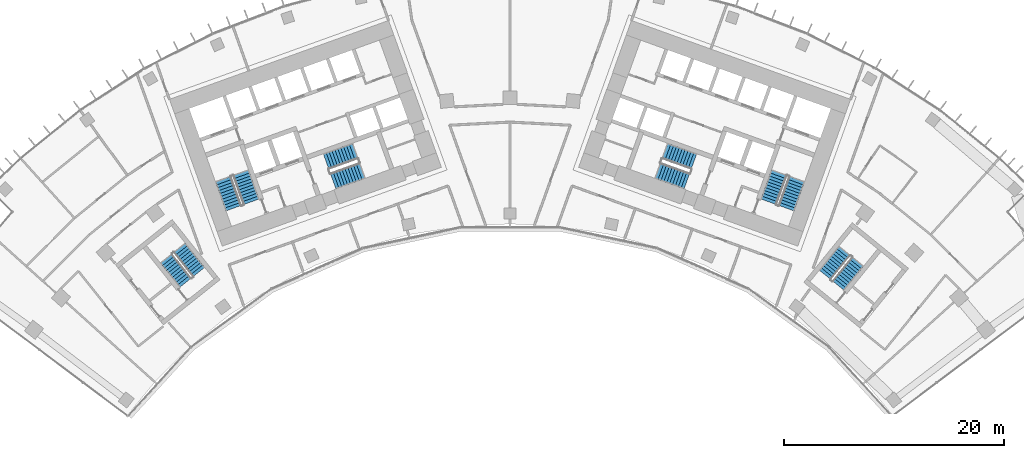
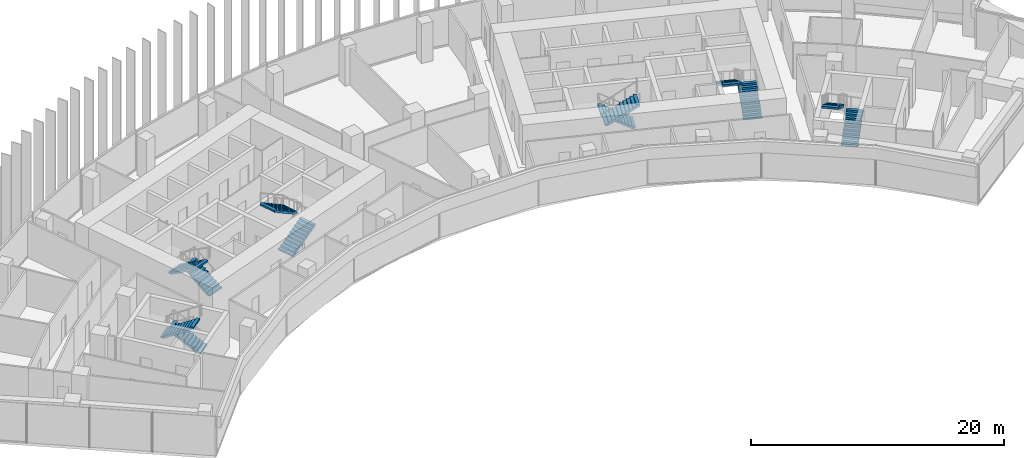
# One storey, part 20 of 22: 12 stair flights, 6 elements without a shape of their own.
"""IFC4 building model written with IfcOpenShell, lengths in metres."""

from ifc_helpers import new_model, si_unit, direction, frame, origin, place, context, subcontext, project, spatial, polyline, outline, extrude, material, type_object, element, aggregate, save


model = new_model("IFC4")

# Units and contexts
model_context = context("Model", 3, precision=1e-05, world=origin(), true_north=direction((0.0, 1.0)))
body_context = subcontext(model_context, "Body", "Model", "MODEL_VIEW")
ifc_project = project(units=[si_unit("LENGTHUNIT", "METRE"), si_unit("AREAUNIT", "SQUARE_METRE"), si_unit("VOLUMEUNIT", "CUBIC_METRE"), si_unit("PLANEANGLEUNIT", "RADIAN"), si_unit("MASSUNIT", "GRAM", prefix="KILO")], contexts=[model_context])

# Site, building, storey
site_placement = place(None, origin())
site = spatial("IfcSite", under=ifc_project, at=site_placement, CompositionType="ELEMENT")
building_placement = place(site_placement, origin())
building = spatial("IfcBuilding", under=site, at=building_placement, Name="Stone Belt Terrace Tower", CompositionType="ELEMENT")
storey_placement = place(building_placement, frame((0.0, 0.0, 155.39990234375)))
storey = spatial("IfcBuildingStorey", under=building, at=storey_placement, Name="L37", CompositionType="ELEMENT", Elevation=155.39990234375)

# Stair, stair flights
ifc_material = material(Name="Concrete B40", Category="concrete")
stair_type = type_object("IfcStairType", Name="Exit stair 1500", PredefinedType="HALF_TURN_STAIR", material=ifc_material)
stair_1_placement = place(storey_placement, origin())
stair_1 = element("IfcStair", 1, at=stair_1_placement, inside=storey, type_object=stair_type, Name="L37 Exit stair 1 core A", PredefinedType="HALF_TURN_STAIR")
stair_flight_type = type_object("IfcStairFlightType", Name="Stair flight 1500", PredefinedType="STRAIGHT", material=ifc_material)
stair_flight_1_placement = place(storey_placement, frame((-23.55322265625, 45.51318359375, 0.0), z_axis=(0.0, 0.0, 1.0), x_axis=(-0.338624396177, 0.940921632398, 0.0)))
stair_flight_1 = element("IfcStairFlight", 2, at=stair_flight_1_placement, type_object=stair_flight_type, Name="ST1A flight 1", NumberOfRisers=11, NumberOfTreads=10, PredefinedType="STRAIGHT", RiserHeight=0.172727273, TreadLength=0.28, context=body_context, shape_type="SweptSolid", body=[
    extrude(outline(polyline([(0.0, 0.0), (0.0, 0.172607421875), (0.280029296875, 0.172607421875), (0.280029296875, 0.345458984375), (0.56005859375, 0.345458984375), (0.56005859375, 0.51806640625), (0.840087890625, 0.51806640625), (0.840087890625, 0.69091796875), (1.1201171875, 0.69091796875), (1.1201171875, 0.863525390625), (1.39990234375, 0.863525390625), (1.39990234375, 1.036376953125), (1.679931640625, 1.036376953125), (1.679931640625, 1.208984375), (1.9599609375, 1.208984375), (1.9599609375, 1.3818359375), (2.239990234375, 1.3818359375), (2.239990234375, 1.554443359375), (2.52001953125, 1.554443359375), (2.52001953125, 1.727294921875), (2.800048828125, 1.727294921875), (2.800048828125, 1.89990234375), (2.800048828125, 1.551025390625), (0.285400390625, 0.0), (0.0, 0.0)])), frame((0.0, 0.75, 0.0), z_axis=(0.0, -1.0, 0.0), x_axis=(1.0, 0.0, 0.0)), (0.0, 0.0, 1.0), 1.5),
])
stair_flight_2_placement = place(storey_placement, frame((-26.10107421875, 47.572021484375, 1.900146484375), z_axis=(0.0, 0.0, 1.0), x_axis=(0.338624396177, -0.940921632398, 0.0)))
stair_flight_2 = element("IfcStairFlight", 3, at=stair_flight_2_placement, type_object=stair_flight_type, Name="ST1A flight 2", NumberOfRisers=11, NumberOfTreads=10, PredefinedType="STRAIGHT", RiserHeight=0.172727273, TreadLength=0.28, context=body_context, shape_type="SweptSolid", body=[
    extrude(outline(polyline([(0.0, 0.0), (0.0, 0.172607421875), (0.280029296875, 0.172607421875), (0.280029296875, 0.345458984375), (0.56005859375, 0.345458984375), (0.56005859375, 0.51806640625), (0.840087890625, 0.51806640625), (0.840087890625, 0.69091796875), (1.1201171875, 0.69091796875), (1.1201171875, 0.863525390625), (1.39990234375, 0.863525390625), (1.39990234375, 1.036376953125), (1.679931640625, 1.036376953125), (1.679931640625, 1.208984375), (1.9599609375, 1.208984375), (1.9599609375, 1.3818359375), (2.239990234375, 1.3818359375), (2.239990234375, 1.554443359375), (2.52001953125, 1.554443359375), (2.52001953125, 1.727294921875), (2.800048828125, 1.727294921875), (2.800048828125, 1.89990234375), (2.800048828125, 1.551025390625), (0.285400390625, 0.0), (0.0, 0.0)])), frame((0.0, 0.75, 0.0), z_axis=(0.0, -1.0, 0.0), x_axis=(1.0, 0.0, 0.0)), (0.0, 0.0, 1.0), 1.5),
])
aggregate(stair_1, [stair_flight_1, stair_flight_2])

stair_2_placement = place(storey_placement, origin())
stair_2 = element("IfcStair", 4, at=stair_2_placement, inside=storey, type_object=stair_type, Name="L37 Exit stair 2 core A", PredefinedType="HALF_TURN_STAIR")
stair_flight_3_placement = place(storey_placement, frame((-16.101318359375, 47.39794921875, 0.0), z_axis=(0.0, 0.0, 1.0), x_axis=(0.940921632398, 0.338624396177, 0.0)))
stair_flight_3 = element("IfcStairFlight", 5, at=stair_flight_3_placement, type_object=stair_flight_type, Name="ST2A flight 1", NumberOfRisers=11, NumberOfTreads=10, PredefinedType="STRAIGHT", RiserHeight=0.172727273, TreadLength=0.28, context=body_context, shape_type="SweptSolid", body=[
    extrude(outline(polyline([(0.0, 0.0), (0.0, 0.172607421875), (0.280029296875, 0.172607421875), (0.280029296875, 0.345458984375), (0.56005859375, 0.345458984375), (0.56005859375, 0.51806640625), (0.840087890625, 0.51806640625), (0.840087890625, 0.69091796875), (1.1201171875, 0.69091796875), (1.1201171875, 0.863525390625), (1.39990234375, 0.863525390625), (1.39990234375, 1.036376953125), (1.679931640625, 1.036376953125), (1.679931640625, 1.208984375), (1.9599609375, 1.208984375), (1.9599609375, 1.3818359375), (2.239990234375, 1.3818359375), (2.239990234375, 1.554443359375), (2.52001953125, 1.554443359375), (2.52001953125, 1.727294921875), (2.800048828125, 1.727294921875), (2.800048828125, 1.89990234375), (2.800048828125, 1.551025390625), (0.285400390625, 0.0), (0.0, 0.0)])), frame((0.0, 0.75, 0.0), z_axis=(0.0, -1.0, 0.0), x_axis=(1.0, 0.0, 0.0)), (0.0, 0.0, 1.0), 1.5),
])
stair_flight_4_placement = place(storey_placement, frame((-14.110107421875, 50.1337890625, 1.900146484375), z_axis=(0.0, 0.0, 1.0), x_axis=(-0.940921632398, -0.338624396177, 0.0)))
stair_flight_4 = element("IfcStairFlight", 6, at=stair_flight_4_placement, type_object=stair_flight_type, Name="ST2A flight 2", NumberOfRisers=11, NumberOfTreads=10, PredefinedType="STRAIGHT", RiserHeight=0.172727273, TreadLength=0.28, context=body_context, shape_type="SweptSolid", body=[
    extrude(outline(polyline([(0.0, 0.0), (0.0, 0.172607421875), (0.280029296875, 0.172607421875), (0.280029296875, 0.345458984375), (0.56005859375, 0.345458984375), (0.56005859375, 0.51806640625), (0.840087890625, 0.51806640625), (0.840087890625, 0.69091796875), (1.1201171875, 0.69091796875), (1.1201171875, 0.863525390625), (1.39990234375, 0.863525390625), (1.39990234375, 1.036376953125), (1.679931640625, 1.036376953125), (1.679931640625, 1.208984375), (1.9599609375, 1.208984375), (1.9599609375, 1.3818359375), (2.239990234375, 1.3818359375), (2.239990234375, 1.554443359375), (2.52001953125, 1.554443359375), (2.52001953125, 1.727294921875), (2.800048828125, 1.727294921875), (2.800048828125, 1.89990234375), (2.800048828125, 1.551025390625), (0.285400390625, 0.0), (0.0, 0.0)])), frame((0.0, 0.75, 0.0), z_axis=(0.0, -1.0, 0.0), x_axis=(1.0, 0.0, 0.0)), (0.0, 0.0, 1.0), 1.5),
])
aggregate(stair_2, [stair_flight_3, stair_flight_4])

stair_3_placement = place(storey_placement, origin())
stair_3 = element("IfcStair", 7, at=stair_3_placement, inside=storey, type_object=stair_type, Name="L37 Exit stair 1 core B", PredefinedType="HALF_TURN_STAIR")
stair_flight_5_placement = place(storey_placement, frame((25.15283203125, 44.9375, 0.0), z_axis=(0.0, 0.0, 1.0), x_axis=(0.338624396177, 0.940921632398, 0.0)))
stair_flight_5 = element("IfcStairFlight", 8, at=stair_flight_5_placement, type_object=stair_flight_type, Name="ST1B flight 1", NumberOfRisers=11, NumberOfTreads=10, PredefinedType="STRAIGHT", RiserHeight=0.172727273, TreadLength=0.28, context=body_context, shape_type="SweptSolid", body=[
    extrude(outline(polyline([(0.0, 0.0), (0.0, 0.172607421875), (0.280029296875, 0.172607421875), (0.280029296875, 0.345458984375), (0.56005859375, 0.345458984375), (0.56005859375, 0.51806640625), (0.840087890625, 0.51806640625), (0.840087890625, 0.69091796875), (1.1201171875, 0.69091796875), (1.1201171875, 0.863525390625), (1.39990234375, 0.863525390625), (1.39990234375, 1.036376953125), (1.679931640625, 1.036376953125), (1.679931640625, 1.208984375), (1.9599609375, 1.208984375), (1.9599609375, 1.3818359375), (2.239990234375, 1.3818359375), (2.239990234375, 1.554443359375), (2.52001953125, 1.554443359375), (2.52001953125, 1.727294921875), (2.800048828125, 1.727294921875), (2.800048828125, 1.89990234375), (2.800048828125, 1.551025390625), (0.285400390625, 0.0), (0.0, 0.0)])), frame((0.0, 0.75, 0.0), z_axis=(0.0, -1.0, 0.0), x_axis=(1.0, 0.0, 0.0)), (0.0, 0.0, 1.0), 1.5),
])
stair_flight_6_placement = place(storey_placement, frame((24.50146484375, 48.147705078125, 1.900146484375), z_axis=(0.0, 0.0, 1.0), x_axis=(-0.338624396177, -0.940921632398, 0.0)))
stair_flight_6 = element("IfcStairFlight", 9, at=stair_flight_6_placement, type_object=stair_flight_type, Name="ST1B flight 2", NumberOfRisers=11, NumberOfTreads=10, PredefinedType="STRAIGHT", RiserHeight=0.172727273, TreadLength=0.28, context=body_context, shape_type="SweptSolid", body=[
    extrude(outline(polyline([(0.0, 0.0), (0.0, 0.172607421875), (0.280029296875, 0.172607421875), (0.280029296875, 0.345458984375), (0.56005859375, 0.345458984375), (0.56005859375, 0.51806640625), (0.840087890625, 0.51806640625), (0.840087890625, 0.69091796875), (1.1201171875, 0.69091796875), (1.1201171875, 0.863525390625), (1.39990234375, 0.863525390625), (1.39990234375, 1.036376953125), (1.679931640625, 1.036376953125), (1.679931640625, 1.208984375), (1.9599609375, 1.208984375), (1.9599609375, 1.3818359375), (2.239990234375, 1.3818359375), (2.239990234375, 1.554443359375), (2.52001953125, 1.554443359375), (2.52001953125, 1.727294921875), (2.800048828125, 1.727294921875), (2.800048828125, 1.89990234375), (2.800048828125, 1.551025390625), (0.285400390625, 0.0), (0.0, 0.0)])), frame((0.0, 0.75, 0.0), z_axis=(0.0, -1.0, 0.0), x_axis=(1.0, 0.0, 0.0)), (0.0, 0.0, 1.0), 1.5),
])
aggregate(stair_3, [stair_flight_5, stair_flight_6])

stair_4_placement = place(storey_placement, origin())
stair_4 = element("IfcStair", 10, at=stair_4_placement, inside=storey, type_object=stair_type, Name="L37 Exit stair 2 core B", PredefinedType="HALF_TURN_STAIR")
stair_flight_7_placement = place(storey_placement, frame((16.74462890625, 49.185546875, 0.0), z_axis=(0.0, 0.0, 1.0), x_axis=(-0.940921632398, 0.338624396177, 0.0)))
stair_flight_7 = element("IfcStairFlight", 11, at=stair_flight_7_placement, type_object=stair_flight_type, Name="ST2B flight 1", NumberOfRisers=11, NumberOfTreads=10, PredefinedType="STRAIGHT", RiserHeight=0.172727273, TreadLength=0.28, context=body_context, shape_type="SweptSolid", body=[
    extrude(outline(polyline([(0.0, 0.0), (0.0, 0.172607421875), (0.280029296875, 0.172607421875), (0.280029296875, 0.345458984375), (0.56005859375, 0.345458984375), (0.56005859375, 0.51806640625), (0.840087890625, 0.51806640625), (0.840087890625, 0.69091796875), (1.1201171875, 0.69091796875), (1.1201171875, 0.863525390625), (1.39990234375, 0.863525390625), (1.39990234375, 1.036376953125), (1.679931640625, 1.036376953125), (1.679931640625, 1.208984375), (1.9599609375, 1.208984375), (1.9599609375, 1.3818359375), (2.239990234375, 1.3818359375), (2.239990234375, 1.554443359375), (2.52001953125, 1.554443359375), (2.52001953125, 1.727294921875), (2.800048828125, 1.727294921875), (2.800048828125, 1.89990234375), (2.800048828125, 1.551025390625), (0.285400390625, 0.0), (0.0, 0.0)])), frame((0.0, 0.75, 0.0), z_axis=(0.0, -1.0, 0.0), x_axis=(1.0, 0.0, 0.0)), (0.0, 0.0, 1.0), 1.5),
])
stair_flight_8_placement = place(storey_placement, frame((13.466796875, 48.345947265625, 1.900146484375), z_axis=(0.0, 0.0, 1.0), x_axis=(0.940921632398, -0.338624396177, 0.0)))
stair_flight_8 = element("IfcStairFlight", 12, at=stair_flight_8_placement, type_object=stair_flight_type, Name="ST2B flight 2", NumberOfRisers=11, NumberOfTreads=10, PredefinedType="STRAIGHT", RiserHeight=0.172727273, TreadLength=0.28, context=body_context, shape_type="SweptSolid", body=[
    extrude(outline(polyline([(0.0, 0.0), (0.0, 0.172607421875), (0.280029296875, 0.172607421875), (0.280029296875, 0.345458984375), (0.56005859375, 0.345458984375), (0.56005859375, 0.51806640625), (0.840087890625, 0.51806640625), (0.840087890625, 0.69091796875), (1.1201171875, 0.69091796875), (1.1201171875, 0.863525390625), (1.39990234375, 0.863525390625), (1.39990234375, 1.036376953125), (1.679931640625, 1.036376953125), (1.679931640625, 1.208984375), (1.9599609375, 1.208984375), (1.9599609375, 1.3818359375), (2.239990234375, 1.3818359375), (2.239990234375, 1.554443359375), (2.52001953125, 1.554443359375), (2.52001953125, 1.727294921875), (2.800048828125, 1.727294921875), (2.800048828125, 1.89990234375), (2.800048828125, 1.551025390625), (0.285400390625, 0.0), (0.0, 0.0)])), frame((0.0, 0.75, 0.0), z_axis=(0.0, -1.0, 0.0), x_axis=(1.0, 0.0, 0.0)), (0.0, 0.0, 1.0), 1.5),
])
aggregate(stair_4, [stair_flight_7, stair_flight_8])

stair_5_placement = place(storey_placement, origin())
stair_5 = element("IfcStair", 13, at=stair_5_placement, inside=storey, type_object=stair_type, Name="L37 Exit stair 3A", PredefinedType="HALF_TURN_STAIR")
stair_flight_9_placement = place(storey_placement, frame((-28.325439453125, 39.1240234375, 0.0), z_axis=(0.0, 0.0, 1.0), x_axis=(-0.623121363691, 0.782125160132, 0.0)))
stair_flight_9 = element("IfcStairFlight", 14, at=stair_flight_9_placement, type_object=stair_flight_type, Name="ST3A flight 1", NumberOfRisers=11, NumberOfTreads=10, PredefinedType="STRAIGHT", RiserHeight=0.172727273, TreadLength=0.28, context=body_context, shape_type="SweptSolid", body=[
    extrude(outline(polyline([(0.0, 0.0), (0.0, 0.172607421875), (0.280029296875, 0.172607421875), (0.280029296875, 0.345458984375), (0.56005859375, 0.345458984375), (0.56005859375, 0.51806640625), (0.840087890625, 0.51806640625), (0.840087890625, 0.69091796875), (1.1201171875, 0.69091796875), (1.1201171875, 0.863525390625), (1.39990234375, 0.863525390625), (1.39990234375, 1.036376953125), (1.679931640625, 1.036376953125), (1.679931640625, 1.208984375), (1.9599609375, 1.208984375), (1.9599609375, 1.3818359375), (2.239990234375, 1.3818359375), (2.239990234375, 1.554443359375), (2.52001953125, 1.554443359375), (2.52001953125, 1.727294921875), (2.800048828125, 1.727294921875), (2.800048828125, 1.89990234375), (2.800048828125, 1.551025390625), (0.285400390625, 0.0), (0.0, 0.0)])), frame((0.0, 0.675048828125, 0.0), z_axis=(0.0, -1.0, 0.0), x_axis=(1.0, 0.0, 0.0)), (0.0, 0.0, 1.0), 1.35009765625),
])
stair_flight_10_placement = place(storey_placement, frame((-31.282470703125, 40.34814453125, 1.900146484375), z_axis=(0.0, 0.0, 1.0), x_axis=(0.623121363691, -0.782125160132, 0.0)))
stair_flight_10 = element("IfcStairFlight", 15, at=stair_flight_10_placement, type_object=stair_flight_type, Name="ST3A flight 2", NumberOfRisers=11, NumberOfTreads=10, PredefinedType="STRAIGHT", RiserHeight=0.172727273, TreadLength=0.28, context=body_context, shape_type="SweptSolid", body=[
    extrude(outline(polyline([(0.0, 0.0), (0.0, 0.172607421875), (0.280029296875, 0.172607421875), (0.280029296875, 0.345458984375), (0.56005859375, 0.345458984375), (0.56005859375, 0.51806640625), (0.840087890625, 0.51806640625), (0.840087890625, 0.69091796875), (1.1201171875, 0.69091796875), (1.1201171875, 0.863525390625), (1.39990234375, 0.863525390625), (1.39990234375, 1.036376953125), (1.679931640625, 1.036376953125), (1.679931640625, 1.208984375), (1.9599609375, 1.208984375), (1.9599609375, 1.3818359375), (2.239990234375, 1.3818359375), (2.239990234375, 1.554443359375), (2.52001953125, 1.554443359375), (2.52001953125, 1.727294921875), (2.800048828125, 1.727294921875), (2.800048828125, 1.89990234375), (2.800048828125, 1.551025390625), (0.285400390625, 0.0), (0.0, 0.0)])), frame((0.0, 0.675048828125, 0.0), z_axis=(0.0, -1.0, 0.0), x_axis=(1.0, 0.0, 0.0)), (0.0, 0.0, 1.0), 1.35009765625),
])
aggregate(stair_5, [stair_flight_9, stair_flight_10])

stair_6_placement = place(storey_placement, origin())
stair_6 = element("IfcStair", 16, at=stair_6_placement, inside=storey, type_object=stair_type, Name="L37 Exit stair 3B", PredefinedType="HALF_TURN_STAIR")
stair_flight_11_placement = place(storey_placement, frame((29.88330078125, 37.887939453125, 0.0), z_axis=(0.0, 0.0, 1.0), x_axis=(0.630205749599, 0.776428176441, 0.0)))
stair_flight_11 = element("IfcStairFlight", 17, at=stair_flight_11_placement, type_object=stair_flight_type, Name="ST3B flight 1", NumberOfRisers=11, NumberOfTreads=10, PredefinedType="STRAIGHT", RiserHeight=0.172727273, TreadLength=0.28, context=body_context, shape_type="SweptSolid", body=[
    extrude(outline(polyline([(0.0, 0.0), (0.0, 0.172607421875), (0.280029296875, 0.172607421875), (0.280029296875, 0.345458984375), (0.56005859375, 0.345458984375), (0.56005859375, 0.51806640625), (0.840087890625, 0.51806640625), (0.840087890625, 0.69091796875), (1.1201171875, 0.69091796875), (1.1201171875, 0.863525390625), (1.39990234375, 0.863525390625), (1.39990234375, 1.036376953125), (1.679931640625, 1.036376953125), (1.679931640625, 1.208984375), (1.9599609375, 1.208984375), (1.9599609375, 1.3818359375), (2.239990234375, 1.3818359375), (2.239990234375, 1.554443359375), (2.52001953125, 1.554443359375), (2.52001953125, 1.727294921875), (2.800048828125, 1.727294921875), (2.800048828125, 1.89990234375), (2.800048828125, 1.551025390625), (0.285400390625, 0.0), (0.0, 0.0)])), frame((0.0, 0.675048828125, 0.0), z_axis=(0.0, -1.0, 0.0), x_axis=(1.0, 0.0, 0.0)), (0.0, 0.0, 1.0), 1.35009765625),
])
stair_flight_12_placement = place(storey_placement, frame((30.4443359375, 41.038818359375, 1.900146484375), z_axis=(0.0, 0.0, 1.0), x_axis=(-0.630205749599, -0.776428176441, 0.0)))
stair_flight_12 = element("IfcStairFlight", 18, at=stair_flight_12_placement, type_object=stair_flight_type, Name="ST3B flight 2", NumberOfRisers=11, NumberOfTreads=10, PredefinedType="STRAIGHT", RiserHeight=0.172727273, TreadLength=0.28, context=body_context, shape_type="SweptSolid", body=[
    extrude(outline(polyline([(0.0, 0.0), (0.0, 0.172607421875), (0.280029296875, 0.172607421875), (0.280029296875, 0.345458984375), (0.56005859375, 0.345458984375), (0.56005859375, 0.51806640625), (0.840087890625, 0.51806640625), (0.840087890625, 0.69091796875), (1.1201171875, 0.69091796875), (1.1201171875, 0.863525390625), (1.39990234375, 0.863525390625), (1.39990234375, 1.036376953125), (1.679931640625, 1.036376953125), (1.679931640625, 1.208984375), (1.9599609375, 1.208984375), (1.9599609375, 1.3818359375), (2.239990234375, 1.3818359375), (2.239990234375, 1.554443359375), (2.52001953125, 1.554443359375), (2.52001953125, 1.727294921875), (2.800048828125, 1.727294921875), (2.800048828125, 1.89990234375), (2.800048828125, 1.551025390625), (0.285400390625, 0.0), (0.0, 0.0)])), frame((0.0, 0.675048828125, 0.0), z_axis=(0.0, -1.0, 0.0), x_axis=(1.0, 0.0, 0.0)), (0.0, 0.0, 1.0), 1.35009765625),
])
aggregate(stair_6, [stair_flight_11, stair_flight_12])

save(model, "model.ifc")
